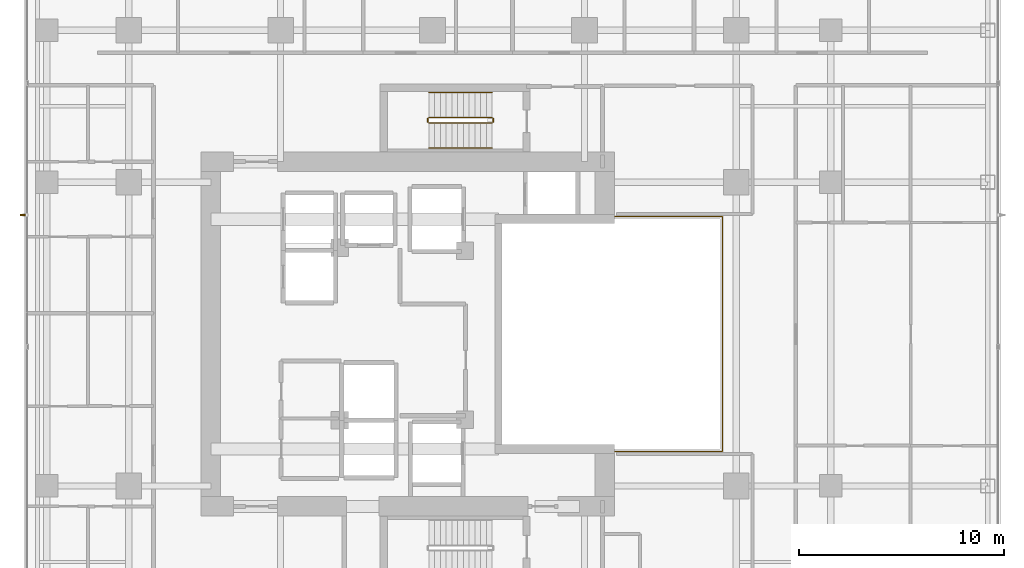
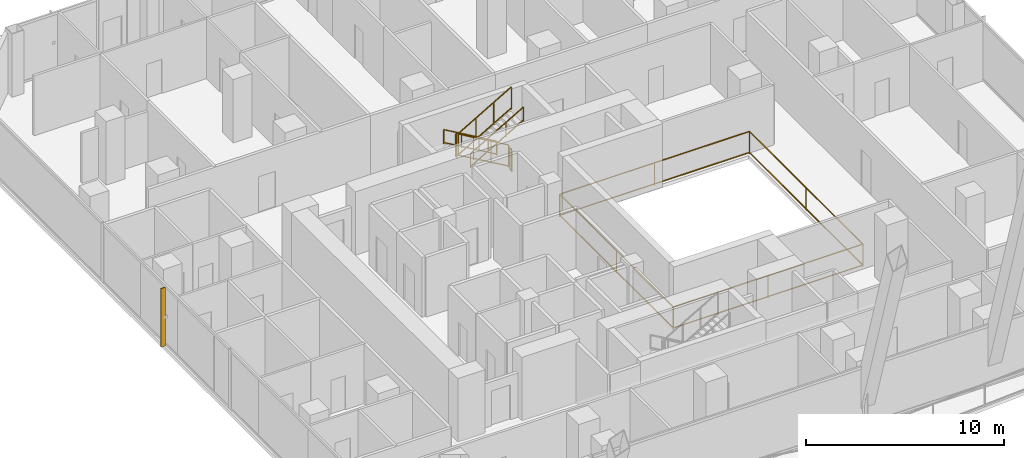
# One storey, part 26 of 30: 7 railings, 1 shading device.
"""IFC4 building model written with IfcOpenShell, lengths in metres."""

from ifc_helpers import new_model, si_unit, direction, frame, origin, origin_2d, place, context, subcontext, project, spatial, rectangle, extrude, material, layer, layer_set, type_object, element, save


model = new_model("IFC4")

# Units and contexts
model_context = context("Model", 3, precision=1e-05, world=origin(), true_north=direction((0.0, 1.0)))
body_context = subcontext(model_context, "Body", "Model", "MODEL_VIEW")
ifc_project = project(units=[si_unit("LENGTHUNIT", "METRE"), si_unit("AREAUNIT", "SQUARE_METRE"), si_unit("VOLUMEUNIT", "CUBIC_METRE"), si_unit("PLANEANGLEUNIT", "RADIAN"), si_unit("MASSUNIT", "GRAM", prefix="KILO")], contexts=[model_context])

# Site, building, storey
site_placement = place(None, origin())
site = spatial("IfcSite", under=ifc_project, at=site_placement, CompositionType="ELEMENT")
building_placement = place(site_placement, origin())
building = spatial("IfcBuilding", under=site, at=building_placement, Name="Khorvyn Point Tower", CompositionType="ELEMENT")
storey_placement = place(building_placement, frame((0.0, 0.0, 117.300048828125)))
storey = spatial("IfcBuildingStorey", under=building, at=storey_placement, Name="L29", CompositionType="ELEMENT", Elevation=117.300048828125)

# Railing
ifc_material_1 = material(Name="Stainless steel 1.4401 and laminated glass", Category="steel")
railing_type_1 = type_object("IfcRailingType", Name="Crystal Atrium Smoke-Rated Perimeter Guardrail 1400", PredefinedType="GUARDRAIL", material=ifc_material_1)
railing_1_placement = place(storey_placement, frame((3.080078125, -5.719970703125, 0.0)))
element("IfcRailing", 1, at=railing_1_placement, inside=storey, type_object=railing_type_1, Name="L29 Crystal Atrium Perimeter Guardrail", PredefinedType="GUARDRAIL", context=body_context, shape_type="SweptSolid", body=[
    extrude(rectangle(XDim=0.048095703125, YDim=0.048095703125, at=origin_2d()), frame((0.0, 0.0, 1.3759765625), z_axis=(1.0, 0.0, 0.0), x_axis=(0.0, 1.0, 0.0)), (0.0, 0.0, 1.0), 11.0400390625),
    extrude(rectangle(XDim=0.048095703125, YDim=0.048095703125, at=origin_2d()), frame((0.0, 0.0, 0.080078125), z_axis=(1.0, 0.0, 0.0), x_axis=(0.0, 1.0, 0.0)), (0.0, 0.0, 1.0), 11.0400390625),
    extrude(rectangle(XDim=0.048095703125, YDim=0.048095703125, at=origin_2d()), frame((11.0400390625, 0.0, 1.3759765625), z_axis=(0.0, 1.0, 0.0), x_axis=(-1.0, 0.0, 0.0)), (0.0, 0.0, 1.0), 11.43994140625),
    extrude(rectangle(XDim=0.048095703125, YDim=0.048095703125, at=origin_2d()), frame((11.0400390625, 0.0, 0.080078125), z_axis=(0.0, 1.0, 0.0), x_axis=(-1.0, 0.0, 0.0)), (0.0, 0.0, 1.0), 11.43994140625),
    extrude(rectangle(XDim=0.048095703125, YDim=0.048095703125, at=origin_2d()), frame((11.0400390625, 11.43994140625, 1.3759765625), z_axis=(-1.0, 0.0, 0.0), x_axis=(0.0, -1.0, 0.0)), (0.0, 0.0, 1.0), 11.0400390625),
    extrude(rectangle(XDim=0.048095703125, YDim=0.048095703125, at=origin_2d()), frame((11.0400390625, 11.43994140625, 0.080078125), z_axis=(-1.0, 0.0, 0.0), x_axis=(0.0, -1.0, 0.0)), (0.0, 0.0, 1.0), 11.0400390625),
    extrude(rectangle(XDim=0.048095703125, YDim=0.048095703125, at=origin_2d()), frame((0.0, 11.43994140625, 1.3759765625), z_axis=(0.0, -1.0, 0.0), x_axis=(1.0, 0.0, 0.0)), (0.0, 0.0, 1.0), 11.409912109375),
    extrude(rectangle(XDim=0.048095703125, YDim=0.048095703125, at=origin_2d()), frame((0.0, 11.43994140625, 0.080078125), z_axis=(0.0, -1.0, 0.0), x_axis=(1.0, 0.0, 0.0)), (0.0, 0.0, 1.0), 11.409912109375),
    extrude(rectangle(XDim=0.0419921875, YDim=0.0419921875, at=origin_2d()), origin(), (0.0, 0.0, 1.0), 1.351806640625),
    extrude(rectangle(XDim=0.0419921875, YDim=0.0419921875, at=origin_2d()), frame((5.52001953125, 0.0, 0.0)), (0.0, 0.0, 1.0), 1.351806640625),
    extrude(rectangle(XDim=0.0419921875, YDim=0.0419921875, at=origin_2d()), frame((11.0400390625, 0.0, 0.0)), (0.0, 0.0, 1.0), 1.351806640625),
    extrude(rectangle(XDim=0.0419921875, YDim=0.0419921875, at=origin_2d()), frame((11.0400390625, 5.719970703125, 0.0)), (0.0, 0.0, 1.0), 1.351806640625),
    extrude(rectangle(XDim=0.0419921875, YDim=0.0419921875, at=origin_2d()), frame((11.0400390625, 11.43994140625, 0.0)), (0.0, 0.0, 1.0), 1.351806640625),
    extrude(rectangle(XDim=0.0419921875, YDim=0.0419921875, at=origin_2d()), frame((5.52001953125, 11.43994140625, 0.0)), (0.0, 0.0, 1.0), 1.351806640625),
    extrude(rectangle(XDim=0.0419921875, YDim=0.0419921875, at=origin_2d()), frame((0.0, 11.43994140625, 0.0)), (0.0, 0.0, 1.0), 1.351806640625),
    extrude(rectangle(XDim=0.0419921875, YDim=0.0419921875, at=origin_2d()), frame((0.0, 5.73486328125, 0.0)), (0.0, 0.0, 1.0), 1.351806640625),
    extrude(rectangle(XDim=0.0419921875, YDim=0.0419921875, at=origin_2d()), frame((0.0, 0.030029296875, 0.0)), (0.0, 0.0, 1.0), 1.351806640625),
])

# Shading device
ifc_material_2 = material(Name="Pale anodised aluminium 6063-T6", Category="aluminium")
ifc_layer = layer(ifc_material_2, 0.054931640625)
ifc_layer_set = layer_set([ifc_layer], Name="Pale Anodised Aluminium FIN 260x55")
shading_device_type = type_object("IfcShadingDeviceType", Name="Pale Anodised Aluminium FIN 260x55", PredefinedType="USERDEFINED", material=ifc_layer_set)
shading_device_placement = place(storey_placement, frame((-19.969970703125, 5.800048828125, 0.039794921875), z_axis=(0.0, 0.0, 1.0), x_axis=(-1.0, 0.0, 0.0)))
element("IfcShadingDevice", 2, at=shading_device_placement, inside=storey, type_object=shading_device_type, Name="L29 Anodised FIN 01", ObjectType="FIN", PredefinedType="USERDEFINED", context=body_context, shape_type="SweptSolid", body=[
    extrude(rectangle(XDim=0.260009765625, YDim=0.054931640625, at=origin_2d()), origin(), (0.0, 0.0, 1.0), 3.60009765625),
])

# Railings
ifc_material_3 = material(Name="Stainless steel 1.4301", Category="steel")
railing_type_2 = type_object("IfcRailingType", Name="Stainless Steel 304 Stair Pitch Handrail 900", PredefinedType="HANDRAIL", material=ifc_material_3)
railing_2_placement = place(storey_placement, frame((2.89990234375, 11.77001953125, 0.162353515625)))
element("IfcRailing", 3, at=railing_2_placement, inside=storey, type_object=railing_type_2, Name="L29 ST-02 stair handrail 1", PredefinedType="HANDRAIL", context=body_context, shape_type="SweptSolid", body=[
    extrude(rectangle(XDim=0.048095703125, YDim=0.048095703125, at=origin_2d()), frame((0.0, 0.0, 0.8759765625), z_axis=(-0.864873446163, 0.0, 0.501989962173), x_axis=(0.0, -1.0, 0.0)), (0.0, 0.0, 1.0), 3.56103515625),
    extrude(rectangle(XDim=0.048095703125, YDim=0.048095703125, at=origin_2d()), frame((0.0, 0.0, 0.080078125), z_axis=(-0.864873446163, 0.0, 0.501989962173), x_axis=(0.0, -1.0, 0.0)), (0.0, 0.0, 1.0), 3.56103515625),
    extrude(rectangle(XDim=0.0419921875, YDim=0.0419921875, at=origin_2d()), origin(), (0.0, 0.0, 1.0), 0.851806640625),
    extrude(rectangle(XDim=0.0419921875, YDim=0.0419921875, at=origin_2d()), frame((-1.026611328125, 0.0, 0.595947265625)), (0.0, 0.0, 1.0), 0.851806640625),
    extrude(rectangle(XDim=0.0419921875, YDim=0.0419921875, at=origin_2d()), frame((-2.05322265625, 0.0, 1.191650390625)), (0.0, 0.0, 1.0), 0.851806640625),
    extrude(rectangle(XDim=0.0419921875, YDim=0.0419921875, at=origin_2d()), frame((-3.079833984375, 0.0, 1.78759765625)), (0.0, 0.0, 1.0), 0.851806640625),
])
railing_3_placement = place(storey_placement, frame((-0.179931640625, 9.070068359375, 2.112548828125)))
element("IfcRailing", 4, at=railing_3_placement, inside=storey, type_object=railing_type_2, Name="L29 ST-02 stair handrail 2", PredefinedType="HANDRAIL", context=body_context, shape_type="SweptSolid", body=[
    extrude(rectangle(XDim=0.048095703125, YDim=0.048095703125, at=origin_2d()), frame((0.0, 0.0, 0.8759765625), z_axis=(0.864903211148, 0.0, 0.501938676878), x_axis=(0.0, 1.0, 0.0)), (0.0, 0.0, 1.0), 3.560791015625),
    extrude(rectangle(XDim=0.048095703125, YDim=0.048095703125, at=origin_2d()), frame((0.0, 0.0, 0.080078125), z_axis=(0.864903211148, 0.0, 0.501938676878), x_axis=(0.0, 1.0, 0.0)), (0.0, 0.0, 1.0), 3.560791015625),
    extrude(rectangle(XDim=0.0419921875, YDim=0.0419921875, at=origin_2d()), origin(), (0.0, 0.0, 1.0), 0.851806640625),
    extrude(rectangle(XDim=0.0419921875, YDim=0.0419921875, at=origin_2d()), frame((1.026611328125, 0.0, 0.595703125)), (0.0, 0.0, 1.0), 0.851806640625),
    extrude(rectangle(XDim=0.0419921875, YDim=0.0419921875, at=origin_2d()), frame((2.05322265625, 0.0, 1.191650390625)), (0.0, 0.0, 1.0), 0.851806640625),
    extrude(rectangle(XDim=0.0419921875, YDim=0.0419921875, at=origin_2d()), frame((3.079833984375, 0.0, 1.787353515625)), (0.0, 0.0, 1.0), 0.851806640625),
])
railing_type_3 = type_object("IfcRailingType", Name="Stainless Steel 304 Stair Well Guardrail 1400", PredefinedType="GUARDRAIL", material=ifc_material_3)
railing_4_placement = place(storey_placement, frame((2.89990234375, 10.550048828125, 0.162353515625)))
element("IfcRailing", 5, at=railing_4_placement, inside=storey, type_object=railing_type_3, Name="L29 ST-02 stair guard 1", PredefinedType="GUARDRAIL", context=body_context, shape_type="SweptSolid", body=[
    extrude(rectangle(XDim=0.048095703125, YDim=0.048095703125, at=origin_2d()), frame((0.0, 0.0, 1.3759765625), z_axis=(-0.864873446163, 0.0, 0.501989962173), x_axis=(0.0, -1.0, 0.0)), (0.0, 0.0, 1.0), 3.56103515625),
    extrude(rectangle(XDim=0.048095703125, YDim=0.048095703125, at=origin_2d()), frame((0.0, 0.0, 0.080078125), z_axis=(-0.864873446163, 0.0, 0.501989962173), x_axis=(0.0, -1.0, 0.0)), (0.0, 0.0, 1.0), 3.56103515625),
    extrude(rectangle(XDim=0.0419921875, YDim=0.0419921875, at=origin_2d()), origin(), (0.0, 0.0, 1.0), 1.351806640625),
    extrude(rectangle(XDim=0.0419921875, YDim=0.0419921875, at=origin_2d()), frame((-1.026611328125, 0.0, 0.595947265625)), (0.0, 0.0, 1.0), 1.351806640625),
    extrude(rectangle(XDim=0.0419921875, YDim=0.0419921875, at=origin_2d()), frame((-2.05322265625, 0.0, 1.191650390625)), (0.0, 0.0, 1.0), 1.351806640625),
    extrude(rectangle(XDim=0.0419921875, YDim=0.0419921875, at=origin_2d()), frame((-3.079833984375, 0.0, 1.78759765625)), (0.0, 0.0, 1.0), 1.351806640625),
])
railing_5_placement = place(storey_placement, frame((-0.22998046875, 10.5, 1.949951171875)))
element("IfcRailing", 6, at=railing_5_placement, inside=storey, type_object=railing_type_3, Name="L29 ST-02 stair guard 2", PredefinedType="GUARDRAIL", context=body_context, shape_type="SweptSolid", body=[
    extrude(rectangle(XDim=0.048095703125, YDim=0.048095703125, at=origin_2d()), frame((0.0, 0.0, 1.3759765625), z_axis=(0.0, -1.0, 0.0), x_axis=(1.0, 0.0, 0.0)), (0.0, 0.0, 1.0), 0.159912109375),
    extrude(rectangle(XDim=0.048095703125, YDim=0.048095703125, at=origin_2d()), frame((0.0, 0.0, 0.080078125), z_axis=(0.0, -1.0, 0.0), x_axis=(1.0, 0.0, 0.0)), (0.0, 0.0, 1.0), 0.159912109375),
    extrude(rectangle(XDim=0.0419921875, YDim=0.0419921875, at=origin_2d()), origin(), (0.0, 0.0, 1.0), 1.351806640625),
    extrude(rectangle(XDim=0.0419921875, YDim=0.0419921875, at=origin_2d()), frame((0.0, -0.159912109375, 0.0)), (0.0, 0.0, 1.0), 1.351806640625),
])
railing_6_placement = place(storey_placement, frame((-0.179931640625, 10.2900390625, 2.112548828125)))
element("IfcRailing", 7, at=railing_6_placement, inside=storey, type_object=railing_type_3, Name="L29 ST-02 stair guard 3", PredefinedType="GUARDRAIL", context=body_context, shape_type="SweptSolid", body=[
    extrude(rectangle(XDim=0.048095703125, YDim=0.048095703125, at=origin_2d()), frame((0.0, 0.0, 1.3759765625), z_axis=(0.864903211148, 0.0, 0.501938676878), x_axis=(0.0, 1.0, 0.0)), (0.0, 0.0, 1.0), 3.560791015625),
    extrude(rectangle(XDim=0.048095703125, YDim=0.048095703125, at=origin_2d()), frame((0.0, 0.0, 0.080078125), z_axis=(0.864903211148, 0.0, 0.501938676878), x_axis=(0.0, 1.0, 0.0)), (0.0, 0.0, 1.0), 3.560791015625),
    extrude(rectangle(XDim=0.0419921875, YDim=0.0419921875, at=origin_2d()), origin(), (0.0, 0.0, 1.0), 1.351806640625),
    extrude(rectangle(XDim=0.0419921875, YDim=0.0419921875, at=origin_2d()), frame((1.026611328125, 0.0, 0.595703125)), (0.0, 0.0, 1.0), 1.351806640625),
    extrude(rectangle(XDim=0.0419921875, YDim=0.0419921875, at=origin_2d()), frame((2.05322265625, 0.0, 1.191650390625)), (0.0, 0.0, 1.0), 1.351806640625),
    extrude(rectangle(XDim=0.0419921875, YDim=0.0419921875, at=origin_2d()), frame((3.079833984375, 0.0, 1.787353515625)), (0.0, 0.0, 1.0), 1.351806640625),
])
railing_7_placement = place(storey_placement, frame((2.949951171875, 10.5, 0.0)))
element("IfcRailing", 8, at=railing_7_placement, inside=storey, type_object=railing_type_3, Name="L29 ST-02 stair guard 4", PredefinedType="GUARDRAIL", context=body_context, shape_type="SweptSolid", body=[
    extrude(rectangle(XDim=0.048095703125, YDim=0.048095703125, at=origin_2d()), frame((0.0, 0.0, 1.3759765625), z_axis=(0.0, -1.0, 0.0), x_axis=(1.0, 0.0, 0.0)), (0.0, 0.0, 1.0), 0.159912109375),
    extrude(rectangle(XDim=0.048095703125, YDim=0.048095703125, at=origin_2d()), frame((0.0, 0.0, 0.080078125), z_axis=(0.0, -1.0, 0.0), x_axis=(1.0, 0.0, 0.0)), (0.0, 0.0, 1.0), 0.159912109375),
    extrude(rectangle(XDim=0.0419921875, YDim=0.0419921875, at=origin_2d()), origin(), (0.0, 0.0, 1.0), 1.351806640625),
    extrude(rectangle(XDim=0.0419921875, YDim=0.0419921875, at=origin_2d()), frame((0.0, -0.159912109375, 0.0)), (0.0, 0.0, 1.0), 1.351806640625),
])

save(model, "model.ifc")
